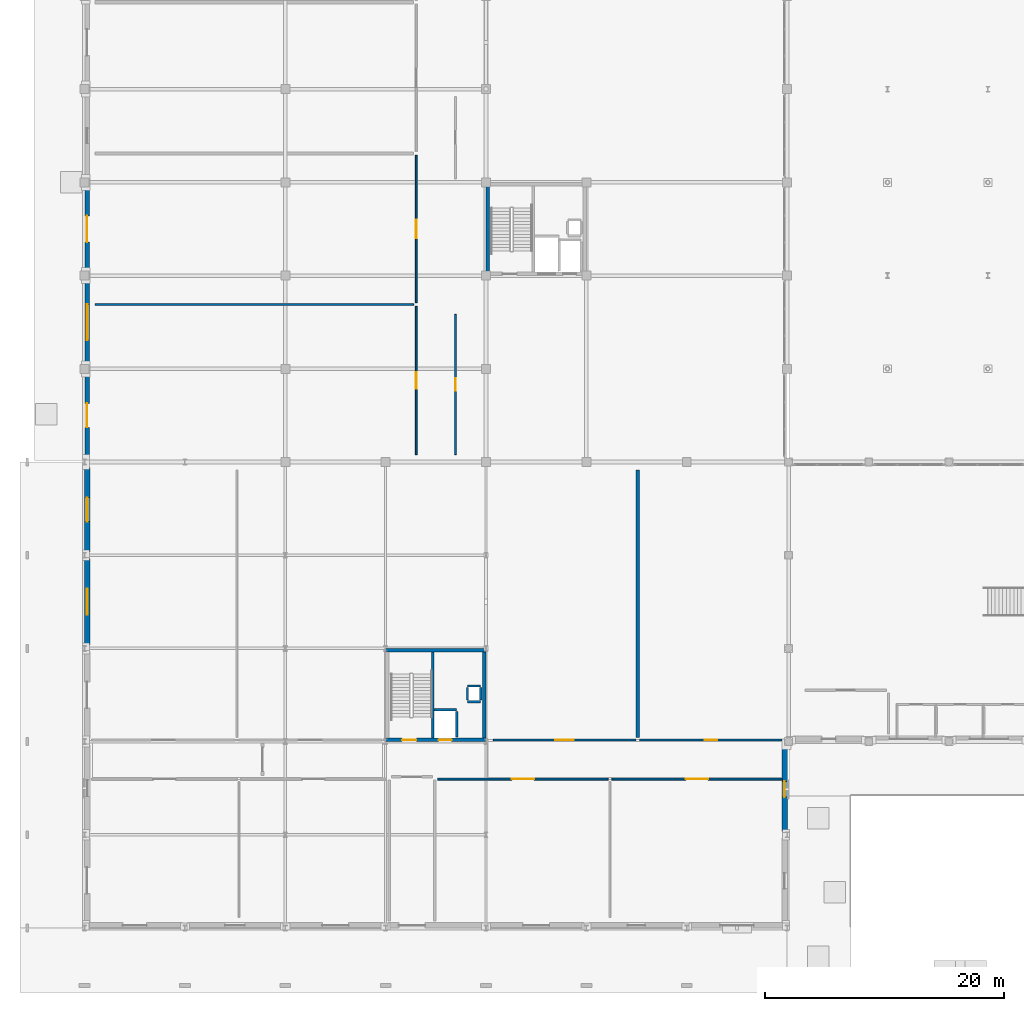
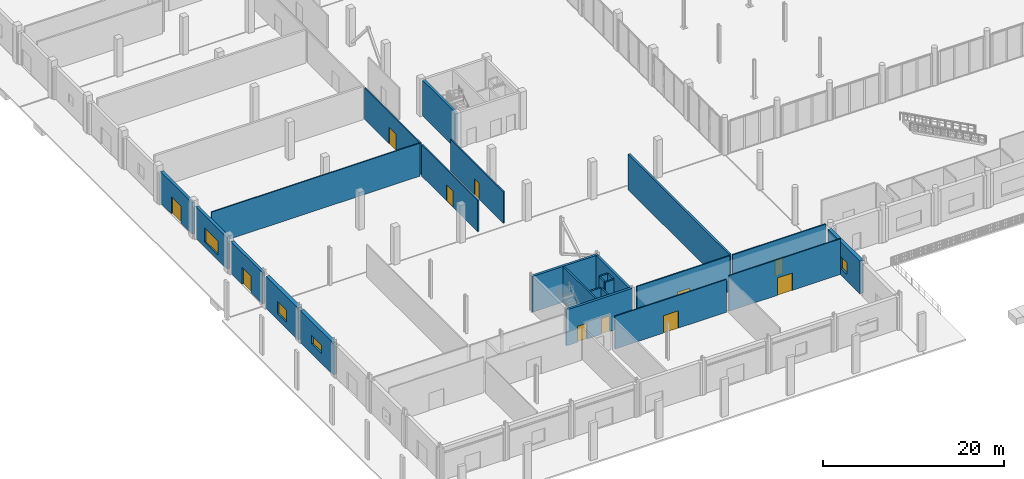
# One storey, part 47 of 80: 26 walls, 11 doors, 4 windows, 15 openings.
"""IFC4 building model written with IfcOpenShell, lengths in metres."""

from ifc_helpers import new_model, si_unit, direction, frame, frame_2d, origin, place, context, subcontext, project, spatial, rectangle, extrude, material, layer, layer_set, type_object, element, fill, save


model = new_model("IFC4")

# Units and contexts
model_context = context("Model", 3, precision=1e-05, world=origin(), true_north=direction((0.0, 1.0)))
body_context = subcontext(model_context, "Body", "Model", "MODEL_VIEW")
ifc_project = project(units=[si_unit("LENGTHUNIT", "METRE"), si_unit("AREAUNIT", "SQUARE_METRE"), si_unit("VOLUMEUNIT", "CUBIC_METRE"), si_unit("PLANEANGLEUNIT", "RADIAN"), si_unit("MASSUNIT", "GRAM", prefix="KILO")], contexts=[model_context])

# Site, building, storey
site_placement = place(None, origin())
site = spatial("IfcSite", under=ifc_project, at=site_placement, CompositionType="ELEMENT")
building_placement = place(site_placement, origin())
building = spatial("IfcBuilding", under=site, at=building_placement, Name="Nabrawat Pavilion Hospital", CompositionType="ELEMENT")
storey_placement = place(building_placement, origin())
storey = spatial("IfcBuildingStorey", under=building, at=storey_placement, Name="L00", CompositionType="ELEMENT", Elevation=0.0)

# Wall, opening, door
ifc_material_1 = material(Name="Gypsum Fireboard on Steel Stud", Category="steel")
ifc_layer_1 = layer(ifc_material_1, 0.14990234375, Name="Gypsum Fireboard on Steel Stud")
ifc_layer_set_1 = layer_set([ifc_layer_1], Name="Gypsum Fireboard on Steel Stud")
wall_type_1 = type_object("IfcWallType", Name="Clinical Corridor Smoke-Barrier Wall 150", PredefinedType="PARTITIONING", material=ifc_layer_set_1)
wall_1_placement = place(storey_placement, frame((29.56005859375, 12.4599609375, 0.0), z_axis=(0.0, 0.0, 1.0), x_axis=(1.0, 0.0, 0.0)))
wall_1 = element("IfcWall", 1, at=wall_1_placement, inside=storey, type_object=wall_type_1, Name="L00 Emergency Department Acute Treatment Cubicle L00-03 Front Partition", PredefinedType="PARTITIONING", context=body_context, shape_type="SweptSolid", body=[
    extrude(rectangle(XDim=14.25, YDim=0.14990234375, at=frame_2d((7.125, 0.0))), origin(), (0.0, 0.0, 1.0), 4.429931640625),
])
opening_1_placement = place(wall_1_placement, frame((6.175048828125, 0.0, 0.0)))
opening_1 = element("IfcOpeningElement", 2, at=opening_1_placement, cuts=wall_1, Name="Opening D-ED", PredefinedType="OPENING", context=body_context, shape_type="SweptSolid", body=[
    extrude(rectangle(XDim=1.89990234375, YDim=2.35009765625, at=frame_2d((0.949951171875, 1.175048828125))), frame((0.0, 0.0849609375, 0.0), z_axis=(0.0, -1.0, 0.0), x_axis=(1.0, 0.0, 0.0)), (0.0, 0.0, 1.0), 0.169921875),
])
ifc_material_2 = material(Name="Stainless-Clad Acoustic Timber and Vision Glass", Category="wood")
door_type_1 = type_object("IfcDoorType", Name="Emergency Trauma Bay Double Door 1900x2350", OperationType="NOTDEFINED", PredefinedType="DOOR", material=ifc_material_2)
door_1_placement = place(opening_1_placement, origin())
door_1 = element("IfcDoor", 3, at=door_1_placement, inside=storey, type_object=door_type_1, Name="Emergency Department Acute Treatment Cubicle L00-03 Door", OperationType="DOUBLE_DOOR_SINGLE_SWING", OverallHeight=2.35009765625, OverallWidth=1.89990234375, PredefinedType="DOOR", context=body_context, shape_type="SweptSolid", body=[
    extrude(rectangle(XDim=1.89990234375, YDim=2.35009765625, at=frame_2d((0.949951171875, 1.175048828125))), frame((0.0, 0.02490234375, 0.0), z_axis=(0.0, -1.0, 0.0), x_axis=(1.0, 0.0, 0.0)), (0.0, 0.0, 1.0), 0.050048828125),
])
fill(opening_1, door_1)

wall_2_placement = place(storey_placement, frame((44.1298828125, 12.4599609375, 0.0), z_axis=(0.0, 0.0, 1.0), x_axis=(1.0, 0.0, 0.0)))
wall_2 = element("IfcWall", 4, at=wall_2_placement, inside=storey, type_object=wall_type_1, Name="L00 Emergency Department Paediatric Observation Suite L00-04 Front Partition", PredefinedType="PARTITIONING", context=body_context, shape_type="SweptSolid", body=[
    extrude(rectangle(XDim=14.25, YDim=0.14990234375, at=frame_2d((7.125, 0.0))), origin(), (0.0, 0.0, 1.0), 4.820068359375),
])
opening_2_placement = place(wall_2_placement, frame((6.175048828125, 0.0, 0.0)))
opening_2 = element("IfcOpeningElement", 5, at=opening_2_placement, cuts=wall_2, Name="Opening D-ED", PredefinedType="OPENING", context=body_context, shape_type="SweptSolid", body=[
    extrude(rectangle(XDim=1.89990234375, YDim=2.35009765625, at=frame_2d((0.949951171875, 1.175048828125))), frame((0.0, 0.0849609375, 0.0), z_axis=(0.0, -1.0, 0.0), x_axis=(1.0, 0.0, 0.0)), (0.0, 0.0, 1.0), 0.169921875),
])
door_2_placement = place(opening_2_placement, origin())
door_2 = element("IfcDoor", 6, at=door_2_placement, inside=storey, type_object=door_type_1, Name="Emergency Department Paediatric Observation Suite L00-04 Door", OperationType="DOUBLE_DOOR_SINGLE_SWING", OverallHeight=2.35009765625, OverallWidth=1.89990234375, PredefinedType="DOOR", context=body_context, shape_type="SweptSolid", body=[
    extrude(rectangle(XDim=1.89990234375, YDim=2.35009765625, at=frame_2d((0.949951171875, 1.175048828125))), frame((0.0, 0.02490234375, 0.0), z_axis=(0.0, -1.0, 0.0), x_axis=(1.0, 0.0, 0.0)), (0.0, 0.0, 1.0), 0.050048828125),
])
fill(opening_2, door_2)

wall_3_placement = place(storey_placement, frame((34.219970703125, 15.739990234375, 0.0), z_axis=(0.0, 0.0, 1.0), x_axis=(1.0, 0.0, 0.0)))
wall_3 = element("IfcWall", 7, at=wall_3_placement, inside=storey, type_object=wall_type_1, Name="L00 Diagnostic Imaging Trauma CT Room L00-07 Front Partition", PredefinedType="PARTITIONING", context=body_context, shape_type="SweptSolid", body=[
    extrude(rectangle(XDim=11.919921875, YDim=0.14990234375, at=frame_2d((5.9599609375, 0.0))), origin(), (0.0, 0.0, 1.0), 4.820068359375),
])
opening_3_placement = place(wall_3_placement, frame((5.18505859375, 0.0, 0.0)))
opening_3 = element("IfcOpeningElement", 8, at=opening_3_placement, cuts=wall_3, Name="Opening D-IMG", PredefinedType="OPENING", context=body_context, shape_type="SweptSolid", body=[
    extrude(rectangle(XDim=1.550048828125, YDim=2.25, at=frame_2d((0.77490234375, 1.125))), frame((0.0, 0.0849609375, 0.0), z_axis=(0.0, -1.0, 0.0), x_axis=(1.0, 0.0, 0.0)), (0.0, 0.0, 1.0), 0.169921875),
])
door_type_2 = type_object("IfcDoorType", Name="Lead-Lined Radiology Shielded Door 1550x2250", OperationType="NOTDEFINED", PredefinedType="DOOR", material=ifc_material_2)
door_3_placement = place(opening_3_placement, origin())
door_3 = element("IfcDoor", 9, at=door_3_placement, inside=storey, type_object=door_type_2, Name="Diagnostic Imaging Trauma CT Room L00-07 Door", OperationType="SINGLE_SWING_RIGHT", OverallHeight=2.25, OverallWidth=1.550048828125, PredefinedType="DOOR", context=body_context, shape_type="SweptSolid", body=[
    extrude(rectangle(XDim=1.550048828125, YDim=2.25, at=frame_2d((0.77490234375, 1.125))), frame((0.0, 0.02490234375, 0.0), z_axis=(0.0, -1.0, 0.0), x_axis=(1.0, 0.0, 0.0)), (0.0, 0.0, 1.0), 0.050048828125),
])
fill(opening_3, door_3)

wall_4_placement = place(storey_placement, frame((46.4599609375, 15.739990234375, 0.0), z_axis=(0.0, 0.0, 1.0), x_axis=(1.0, 0.0, 0.0)))
wall_4 = element("IfcWall", 10, at=wall_4_placement, inside=storey, type_object=wall_type_1, Name="L00 Emergency Department Staff Duty Station L00-08 Front Partition", PredefinedType="PARTITIONING", context=body_context, shape_type="SweptSolid", body=[
    extrude(rectangle(XDim=11.919921875, YDim=0.14990234375, at=frame_2d((5.9599609375, 0.0))), origin(), (0.0, 0.0, 1.0), 4.820068359375),
])
opening_4_placement = place(wall_4_placement, frame((5.43505859375, 0.0, 0.0)))
opening_4 = element("IfcOpeningElement", 11, at=opening_4_placement, cuts=wall_4, Name="Opening D-OPC-R", PredefinedType="OPENING", context=body_context, shape_type="SweptSolid", body=[
    extrude(rectangle(XDim=1.050048828125, YDim=2.14990234375, at=frame_2d((0.52490234375, 1.074951171875))), frame((0.0, 0.0849609375, 0.0), z_axis=(0.0, -1.0, 0.0), x_axis=(1.0, 0.0, 0.0)), (0.0, 0.0, 1.0), 0.169921875),
])
door_type_3 = type_object("IfcDoorType", Name="Outpatient Clinic Consultation Door R 1050x2150", OperationType="NOTDEFINED", PredefinedType="DOOR", material=ifc_material_2)
door_4_placement = place(opening_4_placement, origin())
door_4 = element("IfcDoor", 12, at=door_4_placement, inside=storey, type_object=door_type_3, Name="Emergency Department Staff Duty Station L00-08 Door", OperationType="SINGLE_SWING_LEFT", OverallHeight=2.14990234375, OverallWidth=1.050048828125, PredefinedType="DOOR", context=body_context, shape_type="SweptSolid", body=[
    extrude(rectangle(XDim=1.050048828125, YDim=2.14990234375, at=frame_2d((0.52490234375, 1.074951171875))), frame((0.0, 0.02490234375, 0.0), z_axis=(0.0, -1.0, 0.0), x_axis=(1.0, 0.0, 0.0)), (0.0, 0.0, 1.0), 0.050048828125),
])
fill(opening_4, door_4)

wall_5_placement = place(storey_placement, frame((27.760009765625, 39.6201171875, 0.0), z_axis=(0.0, 0.0, 1.0), x_axis=(0.0, 1.0, 0.0)))
wall_5 = element("IfcWall", 13, at=wall_5_placement, inside=storey, type_object=wall_type_1, Name="L00 Emergency Short-Stay Observation Ward L00-01 Front Partition", PredefinedType="PARTITIONING", context=body_context, shape_type="SweptSolid", body=[
    extrude(rectangle(XDim=12.40478515625, YDim=0.14990234375, at=frame_2d((6.202392578125, 0.0))), origin(), (0.0, 0.0, 1.0), 4.260009765625),
])
opening_5_placement = place(wall_5_placement, frame((5.50244140625, 0.0, 0.0)))
opening_5 = element("IfcOpeningElement", 14, at=opening_5_placement, cuts=wall_5, Name="Opening D-BED", PredefinedType="OPENING", context=body_context, shape_type="SweptSolid", body=[
    extrude(rectangle(XDim=1.39990234375, YDim=2.199951171875, at=frame_2d((0.699951171875, 1.10009765625))), frame((0.0, 0.0849609375, 0.0), z_axis=(0.0, -1.0, 0.0), x_axis=(1.0, 0.0, 0.0)), (0.0, 0.0, 1.0), 0.169921875),
])
door_type_4 = type_object("IfcDoorType", Name="D-BED Inpatient Ward Leaf-and-a-Half Door 1400x2200", OperationType="NOTDEFINED", PredefinedType="DOOR", material=ifc_material_2)
door_5_placement = place(opening_5_placement, origin())
door_5 = element("IfcDoor", 15, at=door_5_placement, inside=storey, type_object=door_type_4, Name="Emergency Short-Stay Observation Ward L00-01 Door", OperationType="SINGLE_SWING_RIGHT", OverallHeight=2.199951171875, OverallWidth=1.39990234375, PredefinedType="DOOR", context=body_context, shape_type="SweptSolid", body=[
    extrude(rectangle(XDim=1.39990234375, YDim=2.199951171875, at=frame_2d((0.699951171875, 1.10009765625))), frame((0.0, 0.02490234375, 0.0), z_axis=(0.0, -1.0, 0.0), x_axis=(1.0, 0.0, 0.0)), (0.0, 0.0, 1.0), 0.050048828125),
])
fill(opening_5, door_5)

wall_6_placement = place(storey_placement, frame((27.760009765625, 52.344970703125, 0.0), z_axis=(0.0, 0.0, 1.0), x_axis=(0.0, 1.0, 0.0)))
wall_6 = element("IfcWall", 16, at=wall_6_placement, inside=storey, type_object=wall_type_1, Name="L00 Diagnostic Imaging Digital X-Ray Room L00-02 Front Partition", PredefinedType="PARTITIONING", context=body_context, shape_type="SweptSolid", body=[
    extrude(rectangle(XDim=12.324951171875, YDim=0.14990234375, at=frame_2d((6.16259765625, 0.0))), origin(), (0.0, 0.0, 1.0), 4.260009765625),
])
opening_6_placement = place(wall_6_placement, frame((5.387451171875, 0.0, 0.0)))
opening_6 = element("IfcOpeningElement", 17, at=opening_6_placement, cuts=wall_6, Name="Opening D-IMG", PredefinedType="OPENING", context=body_context, shape_type="SweptSolid", body=[
    extrude(rectangle(XDim=1.550048828125, YDim=2.25, at=frame_2d((0.77490234375, 1.125))), frame((0.0, 0.0849609375, 0.0), z_axis=(0.0, -1.0, 0.0), x_axis=(1.0, 0.0, 0.0)), (0.0, 0.0, 1.0), 0.169921875),
])
door_6_placement = place(opening_6_placement, origin())
door_6 = element("IfcDoor", 18, at=door_6_placement, inside=storey, type_object=door_type_2, Name="Diagnostic Imaging Digital X-Ray Room L00-02 Door", OperationType="SINGLE_SWING_LEFT", OverallHeight=2.25, OverallWidth=1.550048828125, PredefinedType="DOOR", context=body_context, shape_type="SweptSolid", body=[
    extrude(rectangle(XDim=1.550048828125, YDim=2.25, at=frame_2d((0.77490234375, 1.125))), frame((0.0, 0.02490234375, 0.0), z_axis=(0.0, -1.0, 0.0), x_axis=(1.0, 0.0, 0.0)), (0.0, 0.0, 1.0), 0.050048828125),
])
fill(opening_6, door_6)

wall_7_placement = place(storey_placement, frame((31.0400390625, 39.6201171875, 0.0), z_axis=(0.0, 0.0, 1.0), x_axis=(0.0, 1.0, 0.0)))
wall_7 = element("IfcWall", 19, at=wall_7_placement, inside=storey, type_object=wall_type_1, Name="L00 Endoscopy Patient Recovery Bay L00-06 Front Partition", PredefinedType="PARTITIONING", context=body_context, shape_type="SweptSolid", body=[
    extrude(rectangle(XDim=11.72998046875, YDim=0.14990234375, at=frame_2d((5.864990234375, 0.0))), origin(), (0.0, 0.0, 1.0), 4.260009765625),
])
opening_7_placement = place(wall_7_placement, frame((5.340087890625, 0.0, 0.0)))
opening_7 = element("IfcOpeningElement", 20, at=opening_7_placement, cuts=wall_7, Name="Opening D-OPC-R", PredefinedType="OPENING", context=body_context, shape_type="SweptSolid", body=[
    extrude(rectangle(XDim=1.050048828125, YDim=2.14990234375, at=frame_2d((0.52490234375, 1.074951171875))), frame((0.0, 0.0849609375, 0.0), z_axis=(0.0, -1.0, 0.0), x_axis=(1.0, 0.0, 0.0)), (0.0, 0.0, 1.0), 0.169921875),
])
door_7_placement = place(opening_7_placement, origin())
door_7 = element("IfcDoor", 21, at=door_7_placement, inside=storey, type_object=door_type_3, Name="Endoscopy Patient Recovery Bay L00-06 Door", OperationType="SINGLE_SWING_LEFT", OverallHeight=2.14990234375, OverallWidth=1.050048828125, PredefinedType="DOOR", context=body_context, shape_type="SweptSolid", body=[
    extrude(rectangle(XDim=1.050048828125, YDim=2.14990234375, at=frame_2d((0.52490234375, 1.074951171875))), frame((0.0, 0.02490234375, 0.0), z_axis=(0.0, -1.0, 0.0), x_axis=(1.0, 0.0, 0.0)), (0.0, 0.0, 1.0), 0.050048828125),
])
fill(opening_7, door_7)

# Wall
ifc_material_3 = material(Name="Barium Concrete Block", Category="concrete")
ifc_layer_2 = layer(ifc_material_3, 0.260009765625, Name="Barium Concrete Block")
ifc_layer_set_2 = layer_set([ifc_layer_2], Name="Barium Concrete Block")
wall_type_2 = type_object("IfcWallType", Name="Diagnostic X-Ray Barium-Plaster Wall 260", PredefinedType="PARTITIONING", material=ifc_layer_set_2)
wall_8_placement = place(storey_placement, frame((46.300048828125, 15.9599609375, 0.0), z_axis=(0.0, 0.0, 1.0), x_axis=(0.0, 1.0, 0.0)))
element("IfcWall", 22, at=wall_8_placement, inside=storey, type_object=wall_type_2, Name="L00 Diagnostic Imaging Trauma CT Room L00-07 Dividing Partition", PredefinedType="PARTITIONING", context=body_context, shape_type="SweptSolid", body=[
    extrude(rectangle(XDim=22.35009765625, YDim=0.260009765625, at=frame_2d((11.175048828125, 0.0))), origin(), (0.0, 0.0, 1.0), 4.820068359375),
])

# Wall, opening, window
ifc_material_4 = material(Name="Precast concrete C40/50", Category="concrete")
ifc_layer_3 = layer(ifc_material_4, 0.4599609375, Name="Precast concrete C40/50")
ifc_layer_set_3 = layer_set([ifc_layer_3], Name="Precast concrete C40/50")
wall_type_3 = type_object("IfcWallType", Name="Emergency Blast-Resistant Precast Wall 460", PredefinedType="SOLIDWALL", material=ifc_layer_set_3)
wall_9_placement = place(storey_placement, frame((0.219970703125, 23.669921875, 0.0), z_axis=(0.0, 0.0, 1.0), x_axis=(0.0, 1.0, 0.0)))
wall_9 = element("IfcWall", 23, at=wall_9_placement, inside=storey, type_object=wall_type_3, Name="L00 Emergency Blast-Resistant Precast Wall 460 088", PredefinedType="SOLIDWALL", context=body_context, shape_type="SweptSolid", body=[
    extrude(rectangle(XDim=7.260009765625, YDim=0.4599609375, at=frame_2d((3.6298828125, 0.0))), origin(), (0.0, 0.0, 1.0), 4.330078125),
])
opening_8_placement = place(wall_9_placement, frame((2.530029296875, 0.0, 1.35009765625)))
opening_8 = element("IfcOpeningElement", 24, at=opening_8_placement, cuts=wall_9, Name="Opening WN-11", PredefinedType="OPENING", context=body_context, shape_type="SweptSolid", body=[
    extrude(rectangle(XDim=2.199951171875, YDim=1.14990234375, at=frame_2d((1.10009765625, 0.574951171875))), frame((0.0, 0.239990234375, 0.0), z_axis=(0.0, -1.0, 0.0), x_axis=(1.0, 0.0, 0.0)), (0.0, 0.0, 1.0), 0.47998046875),
])
ifc_material_5 = material(Name="Thermally Broken Aluminium and Solar Glass", Category="aluminium")
window_type_1 = type_object("IfcWindowType", Name="Diagnostic Laboratory Clerestory 2200x1150", PartitioningType="SINGLE_PANEL", PredefinedType="WINDOW", material=ifc_material_5)
window_1_placement = place(opening_8_placement, origin())
window_1 = element("IfcWindow", 25, at=window_1_placement, inside=storey, type_object=window_type_1, Name="L00 Diagnostic Laboratory Clerestory 2200x1150 011", OverallHeight=1.14990234375, OverallWidth=2.199951171875, PartitioningType="SINGLE_PANEL", PredefinedType="WINDOW", context=body_context, shape_type="SweptSolid", body=[
    extrude(rectangle(XDim=2.199951171875, YDim=1.14990234375, at=frame_2d((1.10009765625, 0.574951171875))), frame((0.0, 0.030029296875, 0.0), z_axis=(0.0, -1.0, 0.0), x_axis=(1.0, 0.0, 0.0)), (0.0, 0.0, 1.0), 0.06005859375),
])
fill(opening_8, window_1)

wall_10_placement = place(storey_placement, frame((0.219970703125, 31.469970703125, 0.0), z_axis=(0.0, 0.0, 1.0), x_axis=(0.0, 1.0, 0.0)))
wall_10 = element("IfcWall", 26, at=wall_10_placement, inside=storey, type_object=wall_type_3, Name="L00 Emergency Blast-Resistant Precast Wall 460 089", PredefinedType="SOLIDWALL", context=body_context, shape_type="SweptSolid", body=[
    extrude(rectangle(XDim=7.090087890625, YDim=0.4599609375, at=frame_2d((3.544921875, 0.0))), origin(), (0.0, 0.0, 1.0), 4.330078125),
])
opening_9_placement = place(wall_10_placement, frame((2.544921875, 0.0, 0.85009765625)))
opening_9 = element("IfcOpeningElement", 27, at=opening_9_placement, cuts=wall_10, Name="Opening WN-12", PredefinedType="OPENING", context=body_context, shape_type="SweptSolid", body=[
    extrude(rectangle(XDim=2.0, YDim=1.64990234375, at=frame_2d((1.0, 0.824951171875))), frame((0.0, 0.239990234375, 0.0), z_axis=(0.0, -1.0, 0.0), x_axis=(1.0, 0.0, 0.0)), (0.0, 0.0, 1.0), 0.47998046875),
])
window_type_2 = type_object("IfcWindowType", Name="ICU Observation Daylight Window 2000x1650", PartitioningType="SINGLE_PANEL", PredefinedType="WINDOW", material=ifc_material_5)
window_2_placement = place(opening_9_placement, origin())
window_2 = element("IfcWindow", 28, at=window_2_placement, inside=storey, type_object=window_type_2, Name="L00 ICU Observation Daylight Window 2000x1650 012", OverallHeight=1.64990234375, OverallWidth=2.0, PartitioningType="SINGLE_PANEL", PredefinedType="WINDOW", context=body_context, shape_type="SweptSolid", body=[
    extrude(rectangle(XDim=2.0, YDim=1.64990234375, at=frame_2d((1.0, 0.824951171875))), frame((0.0, 0.030029296875, 0.0), z_axis=(0.0, -1.0, 0.0), x_axis=(1.0, 0.0, 0.0)), (0.0, 0.0, 1.0), 0.06005859375),
])
fill(opening_9, window_2)

wall_11_placement = place(storey_placement, frame((58.580078125, 8.070068359375, 0.0), z_axis=(0.0, 0.0, 1.0), x_axis=(0.0, 1.0, 0.0)))
wall_11 = element("IfcWall", 29, at=wall_11_placement, inside=storey, type_object=wall_type_3, Name="L00 Emergency Blast-Resistant Precast Wall 460 115", PredefinedType="SOLIDWALL", context=body_context, shape_type="SweptSolid", body=[
    extrude(rectangle(XDim=7.08984375, YDim=0.4599609375, at=frame_2d((3.544921875, 0.0))), origin(), (0.0, 0.0, 1.0), 4.43994140625),
])
opening_10_placement = place(wall_11_placement, frame((2.89501953125, 0.0, 0.89990234375)))
opening_10 = element("IfcOpeningElement", 30, at=opening_10_placement, cuts=wall_11, Name="Opening WN-30", PredefinedType="OPENING", context=body_context, shape_type="SweptSolid", body=[
    extrude(rectangle(XDim=1.300048828125, YDim=1.60009765625, at=frame_2d((0.64990234375, 0.800048828125))), frame((0.0, 0.239990234375, 0.0), z_axis=(0.0, -1.0, 0.0), x_axis=(1.0, 0.0, 0.0)), (0.0, 0.0, 1.0), 0.47998046875),
])
window_type_3 = type_object("IfcWindowType", Name="Genetics Clinic Window 1300x1600", PartitioningType="SINGLE_PANEL", PredefinedType="WINDOW", material=ifc_material_5)
window_3_placement = place(opening_10_placement, origin())
window_3 = element("IfcWindow", 31, at=window_3_placement, inside=storey, type_object=window_type_3, Name="L00 Genetics Clinic Window 1300x1600 030", OverallHeight=1.60009765625, OverallWidth=1.300048828125, PartitioningType="SINGLE_PANEL", PredefinedType="WINDOW", context=body_context, shape_type="SweptSolid", body=[
    extrude(rectangle(XDim=1.300048828125, YDim=1.60009765625, at=frame_2d((0.64990234375, 0.800048828125))), frame((0.0, 0.030029296875, 0.0), z_axis=(0.0, -1.0, 0.0), x_axis=(1.0, 0.0, 0.0)), (0.0, 0.0, 1.0), 0.06005859375),
])
fill(opening_10, window_3)

# Walls
ifc_material_6 = material(Name="Acoustic Gypsum on Steel Stud", Category="steel")
ifc_layer_4 = layer(ifc_material_6, 0.139892578125, Name="Acoustic Gypsum on Steel Stud")
ifc_layer_set_4 = layer_set([ifc_layer_4], Name="Acoustic Gypsum on Steel Stud")
wall_type_4 = type_object("IfcWallType", Name="Inpatient Ward Acoustic Partition 140", PredefinedType="PARTITIONING", material=ifc_layer_set_4)
wall_12_placement = place(storey_placement, frame((0.889892578125, 52.18505859375, 0.0), z_axis=(0.0, 0.0, 1.0), x_axis=(1.0, 0.0, 0.0)))
element("IfcWall", 32, at=wall_12_placement, inside=storey, type_object=wall_type_4, Name="L00 Emergency Short-Stay Observation Ward L00-01 Dividing Partition", PredefinedType="PARTITIONING", context=body_context, shape_type="SweptSolid", body=[
    extrude(rectangle(XDim=26.650146484375, YDim=0.139892578125, at=frame_2d((13.3251953125, 0.0))), origin(), (0.0, 0.0, 1.0), 4.4599609375),
])
ifc_material_7 = material(Name="Concrete C35/45", Category="concrete")
ifc_layer_5 = layer(ifc_material_7, 0.199951171875, Name="Concrete C35/45")
ifc_layer_set_5 = layer_set([ifc_layer_5], Name="Concrete C35/45")
wall_type_5 = type_object("IfcWallType", Name="Lift and Riser Fire Shaft Wall 200", PredefinedType="PARTITIONING", material=ifc_layer_set_5)
wall_13_placement = place(storey_placement, frame((29.14990234375, 15.919921875, 0.0), z_axis=(0.0, 0.0, 1.0), x_axis=(0.0, 1.0, 0.0)))
element("IfcWall", 33, at=wall_13_placement, inside=storey, type_object=wall_type_5, Name="L00 CORE-1 Stair-Lift Dividing Shear Wall", PredefinedType="SHEAR", context=body_context, shape_type="SweptSolid", body=[
    extrude(rectangle(XDim=7.16015625, YDim=0.199951171875, at=frame_2d((3.580078125, 0.0))), origin(), (0.0, 0.0, 1.0), 4.85009765625),
])
for number, where, z_axis, x_axis, name in (
    (34, (32.050048828125, 18.949951171875, 0.0), (0.0, 0.0, 1.0), (1.0, 0.0, 0.0), "L00 CORE-1 MEP Riser Shaft Wall S"),
    (35, (32.050048828125, 20.25, 0.0), (0.0, 0.0, 1.0), (1.0, 0.0, 0.0), "L00 CORE-1 MEP Riser Shaft Wall N"),
):
    element("IfcWall", number, at=place(storey_placement, frame(where, z_axis=z_axis, x_axis=x_axis)), inside=storey, type_object=wall_type_5, Name=name, PredefinedType="PARTITIONING", context=body_context, shape_type="SweptSolid", body=[
        extrude(rectangle(XDim=1.099853515625, YDim=0.199951171875, at=frame_2d((0.5498046875, 0.0))), origin(), (0.0, 0.0, 1.0), 4.22998046875),
    ])
for number, where, z_axis, x_axis, name in (
    (36, (32.050048828125, 19.070068359375, 0.0), (0.0, 0.0, 1.0), (0.0, 1.0, 0.0), "L00 CORE-1 MEP Riser Shaft Wall W"),
    (37, (33.14990234375, 19.070068359375, 0.0), (0.0, 0.0, 1.0), (0.0, 1.0, 0.0), "L00 CORE-1 MEP Riser Shaft Wall E"),
):
    element("IfcWall", number, at=place(storey_placement, frame(where, z_axis=z_axis, x_axis=x_axis)), inside=storey, type_object=wall_type_5, Name=name, PredefinedType="PARTITIONING", context=body_context, shape_type="SweptSolid", body=[
        extrude(rectangle(XDim=1.059814453125, YDim=0.199951171875, at=frame_2d((0.52978515625, 0.0))), origin(), (0.0, 0.0, 1.0), 4.22998046875),
    ])
wall_14_placement = place(storey_placement, frame((31.139892578125, 15.97998046875, 0.0), z_axis=(0.0, 0.0, 1.0), x_axis=(0.0, 1.0, 0.0)))
element("IfcWall", 38, at=wall_14_placement, inside=storey, type_object=wall_type_5, Name="L00 Lift LP-01 Shaft East Wall", PredefinedType="PARTITIONING", context=body_context, shape_type="SweptSolid", body=[
    extrude(rectangle(XDim=2.14013671875, YDim=0.199951171875, at=frame_2d((1.070068359375, 0.0))), origin(), (0.0, 0.0, 1.0), 4.22998046875),
])
wall_15_placement = place(storey_placement, frame((29.25, 18.280029296875, 0.0), z_axis=(0.0, 0.0, 1.0), x_axis=(1.0, 0.0, 0.0)))
element("IfcWall", 39, at=wall_15_placement, inside=storey, type_object=wall_type_5, Name="L00 Lift LP-01 Shaft Back Wall", PredefinedType="PARTITIONING", context=body_context, shape_type="SweptSolid", body=[
    extrude(rectangle(XDim=1.860107421875, YDim=0.199951171875, at=frame_2d((0.93017578125, 0.0))), origin(), (0.0, 0.0, 1.0), 4.22998046875),
])

# Wall, openings, doors
ifc_material_8 = material(Name="Concrete C40/50", Category="concrete")
ifc_layer_6 = layer(ifc_material_8, 0.300048828125, Name="Concrete C40/50")
ifc_layer_set_6 = layer_set([ifc_layer_6], Name="Concrete C40/50")
wall_type_6 = type_object("IfcWallType", Name="Reinforced Concrete Core Shear Wall 300", PredefinedType="SHEAR", material=ifc_layer_set_6)
wall_16_placement = place(storey_placement, frame((25.199951171875, 15.75, 0.0), z_axis=(0.0, 0.0, 1.0), x_axis=(1.0, 0.0, 0.0)))
wall_16 = element("IfcWall", 40, at=wall_16_placement, inside=storey, type_object=wall_type_6, Name="L00 CORE-1 South Core Shear Wall", PredefinedType="SHEAR", context=body_context, shape_type="SweptSolid", body=[
    extrude(rectangle(XDim=8.400146484375, YDim=0.300048828125, at=frame_2d((4.2001953125, 0.0))), origin(), (0.0, 0.0, 1.0), 4.85009765625),
])
opening_11_placement = place(wall_16_placement, frame((1.3798828125, 0.0, 0.0)))
opening_11 = element("IfcOpeningElement", 41, at=opening_11_placement, cuts=wall_16, Name="Opening D-STAIR", PredefinedType="OPENING", context=body_context, shape_type="SweptSolid", body=[
    extrude(rectangle(XDim=1.199951171875, YDim=2.14990234375, at=frame_2d((0.60009765625, 1.074951171875))), frame((0.0, 0.16015625, 0.0), z_axis=(0.0, -1.0, 0.0), x_axis=(1.0, 0.0, 0.0)), (0.0, 0.0, 1.0), 0.320068359375),
])
opening_12_placement = place(wall_16_placement, frame((4.429931640625, 0.0, 0.0)))
opening_12 = element("IfcOpeningElement", 42, at=opening_12_placement, cuts=wall_16, Name="Opening LD-LP-01", PredefinedType="OPENING", context=body_context, shape_type="SweptSolid", body=[
    extrude(rectangle(XDim=1.10009765625, YDim=2.14990234375, at=frame_2d((0.550048828125, 1.074951171875))), frame((0.0, 0.16015625, 0.0), z_axis=(0.0, -1.0, 0.0), x_axis=(1.0, 0.0, 0.0)), (0.0, 0.0, 1.0), 0.320068359375),
])
door_type_5 = type_object("IfcDoorType", Name="D-STAIR Exit Stair Fire Door 1200x2150", OperationType="NOTDEFINED", PredefinedType="DOOR", material=ifc_material_2)
door_8_placement = place(opening_11_placement, origin())
door_8 = element("IfcDoor", 43, at=door_8_placement, inside=storey, type_object=door_type_5, Name="L00 ST-01 Fire Exit Stair Door", OperationType="SINGLE_SWING_LEFT", OverallHeight=2.14990234375, OverallWidth=1.199951171875, PredefinedType="DOOR", context=body_context, shape_type="SweptSolid", body=[
    extrude(rectangle(XDim=1.199951171875, YDim=2.14990234375, at=frame_2d((0.60009765625, 1.074951171875))), frame((0.0, 0.02490234375, 0.0), z_axis=(0.0, -1.0, 0.0), x_axis=(1.0, 0.0, 0.0)), (0.0, 0.0, 1.0), 0.050048828125),
])
fill(opening_11, door_8)
door_type_6 = type_object("IfcDoorType", Name="Passenger Lift Sliding Landing Door 1100x2150", OperationType="DOUBLE_DOOR_SLIDING", PredefinedType="DOOR", material=ifc_material_2)
door_9_placement = place(opening_12_placement, origin())
door_9 = element("IfcDoor", 44, at=door_9_placement, inside=storey, type_object=door_type_6, Name="L00 Lift LP-01 Sliding Landing Door", OperationType="DOUBLE_DOOR_SLIDING", OverallHeight=2.14990234375, OverallWidth=1.10009765625, PredefinedType="DOOR", context=body_context, shape_type="SweptSolid", body=[
    extrude(rectangle(XDim=1.10009765625, YDim=2.14990234375, at=frame_2d((0.550048828125, 1.074951171875))), frame((0.0, 0.02490234375, 0.0), z_axis=(0.0, -1.0, 0.0), x_axis=(1.0, 0.0, 0.0)), (0.0, 0.0, 1.0), 0.050048828125),
])
fill(opening_12, door_9)

# Walls
wall_17_placement = place(storey_placement, frame((25.199951171875, 23.25, 0.0), z_axis=(0.0, 0.0, 1.0), x_axis=(1.0, 0.0, 0.0)))
element("IfcWall", 45, at=wall_17_placement, inside=storey, type_object=wall_type_6, Name="L00 CORE-1 North Core Shear Wall", PredefinedType="SHEAR", context=body_context, shape_type="SweptSolid", body=[
    extrude(rectangle(XDim=8.400146484375, YDim=0.300048828125, at=frame_2d((4.2001953125, 0.0))), origin(), (0.0, 0.0, 1.0), 4.85009765625),
])
wall_18_placement = place(storey_placement, frame((33.449951171875, 15.89990234375, 0.0), z_axis=(0.0, 0.0, 1.0), x_axis=(0.0, 1.0, 0.0)))
element("IfcWall", 46, at=wall_18_placement, inside=storey, type_object=wall_type_6, Name="L00 CORE-1 East Core Shear Wall", PredefinedType="SHEAR", context=body_context, shape_type="SweptSolid", body=[
    extrude(rectangle(XDim=7.2001953125, YDim=0.300048828125, at=frame_2d((3.60009765625, 0.0))), origin(), (0.0, 0.0, 1.0), 4.85009765625),
])
wall_19_placement = place(storey_placement, frame((33.75, 54.89990234375, 0.0), z_axis=(0.0, 0.0, 1.0), x_axis=(0.0, 1.0, 0.0)))
element("IfcWall", 47, at=wall_19_placement, inside=storey, type_object=wall_type_6, Name="L00 CORE-2 West Core Shear Wall", PredefinedType="SHEAR", context=body_context, shape_type="SweptSolid", body=[
    extrude(rectangle(XDim=7.2001953125, YDim=0.300048828125, at=frame_2d((3.60009765625, 0.0))), origin(), (0.0, 0.0, 1.0), 4.830078125),
])

# Wall, opening, door
ifc_layer_7 = layer(ifc_material_4, 0.360107421875, Name="Precast concrete C40/50")
ifc_layer_set_7 = layer_set([ifc_layer_7], Name="Precast concrete C40/50")
wall_type_7 = type_object("IfcWallType", Name="Surgical Acoustic Precast Facade Wall 360", PredefinedType="SOLIDWALL", material=ifc_layer_set_7)
wall_20_placement = place(storey_placement, frame((0.219970703125, 39.43994140625, 0.0), z_axis=(0.0, 0.0, 1.0), x_axis=(0.0, 1.0, 0.0)))
wall_20 = element("IfcWall", 48, at=wall_20_placement, inside=storey, type_object=wall_type_7, Name="L00 Surgical Acoustic Precast Facade Wall 360 097", PredefinedType="SOLIDWALL", context=body_context, shape_type="SweptSolid", body=[
    extrude(rectangle(XDim=6.93505859375, YDim=0.360107421875, at=frame_2d((3.467529296875, 0.0))), origin(), (0.0, 0.0, 1.0), 4.260009765625),
])
opening_13_placement = place(wall_20_placement, frame((2.467529296875, 0.0, 0.0)))
opening_13 = element("IfcOpeningElement", 49, at=opening_13_placement, cuts=wall_20, Name="Opening ED-EXIT-200", PredefinedType="OPENING", context=body_context, shape_type="SweptSolid", body=[
    extrude(rectangle(XDim=2.0, YDim=2.25, at=frame_2d((1.0, 1.125))), frame((0.0, 0.18994140625, 0.0), z_axis=(0.0, -1.0, 0.0), x_axis=(1.0, 0.0, 0.0)), (0.0, 0.0, 1.0), 0.380126953125),
])
ifc_material_9 = material(Name="Powder-Coated Galvanised Steel and Safety Glass", Category="steel")
door_type_7 = type_object("IfcDoorType", Name="Secondary Final-Exit Double Door 2000x2250", OperationType="NOTDEFINED", PredefinedType="DOOR", material=ifc_material_9)
door_10_placement = place(opening_13_placement, origin())
door_10 = element("IfcDoor", 50, at=door_10_placement, inside=storey, type_object=door_type_7, Name="L00 Perimeter Final Exit Door 08", OperationType="DOUBLE_DOOR_SINGLE_SWING", OverallHeight=2.25, OverallWidth=2.0, PredefinedType="DOOR", context=body_context, shape_type="SweptSolid", body=[
    extrude(rectangle(XDim=2.0, YDim=2.25, at=frame_2d((1.0, 1.125))), frame((0.0, 0.02490234375, 0.0), z_axis=(0.0, -1.0, 0.0), x_axis=(1.0, 0.0, 0.0)), (0.0, 0.0, 1.0), 0.050048828125),
])
fill(opening_13, door_10)

# Wall, opening, window
wall_21_placement = place(storey_placement, frame((0.219970703125, 47.22509765625, 0.0), z_axis=(0.0, 0.0, 1.0), x_axis=(0.0, 1.0, 0.0)))
wall_21 = element("IfcWall", 51, at=wall_21_placement, inside=storey, type_object=wall_type_7, Name="L00 Surgical Acoustic Precast Facade Wall 360 098", PredefinedType="SOLIDWALL", context=body_context, shape_type="SweptSolid", body=[
    extrude(rectangle(XDim=6.949951171875, YDim=0.360107421875, at=frame_2d((3.47509765625, 0.0))), origin(), (0.0, 0.0, 1.0), 4.260009765625),
])
opening_14_placement = place(wall_21_placement, frame((1.97509765625, 0.0, 0.699951171875)))
opening_14 = element("IfcOpeningElement", 52, at=opening_14_placement, cuts=wall_21, Name="Opening WN-16", PredefinedType="OPENING", context=body_context, shape_type="SweptSolid", body=[
    extrude(rectangle(XDim=3.0, YDim=1.85009765625, at=frame_2d((1.5, 0.925048828125))), frame((0.0, 0.18994140625, 0.0), z_axis=(0.0, -1.0, 0.0), x_axis=(1.0, 0.0, 0.0)), (0.0, 0.0, 1.0), 0.380126953125),
])
window_type_4 = type_object("IfcWindowType", Name="VIP Suite Panoramic Window 3000x1850", PartitioningType="SINGLE_PANEL", PredefinedType="WINDOW", material=ifc_material_5)
window_4_placement = place(opening_14_placement, origin())
window_4 = element("IfcWindow", 53, at=window_4_placement, inside=storey, type_object=window_type_4, Name="L00 VIP Suite Panoramic Window 3000x1850 016", OverallHeight=1.85009765625, OverallWidth=3.0, PartitioningType="SINGLE_PANEL", PredefinedType="WINDOW", context=body_context, shape_type="SweptSolid", body=[
    extrude(rectangle(XDim=3.0, YDim=1.85009765625, at=frame_2d((1.5, 0.925048828125))), frame((0.0, 0.030029296875, 0.0), z_axis=(0.0, -1.0, 0.0), x_axis=(1.0, 0.0, 0.0)), (0.0, 0.0, 1.0), 0.06005859375),
])
fill(opening_14, window_4)

# Wall, opening, door
wall_22_placement = place(storey_placement, frame((0.219970703125, 55.02490234375, 0.0), z_axis=(0.0, 0.0, 1.0), x_axis=(0.0, 1.0, 0.0)))
wall_22 = element("IfcWall", 54, at=wall_22_placement, inside=storey, type_object=wall_type_7, Name="L00 Surgical Acoustic Precast Facade Wall 360 099", PredefinedType="SOLIDWALL", context=body_context, shape_type="SweptSolid", body=[
    extrude(rectangle(XDim=6.9501953125, YDim=0.360107421875, at=frame_2d((3.47509765625, 0.0))), origin(), (0.0, 0.0, 1.0), 4.260009765625),
])
opening_15_placement = place(wall_22_placement, frame((2.375, 0.0, 0.0)))
opening_15 = element("IfcOpeningElement", 55, at=opening_15_placement, cuts=wall_22, Name="Opening ED-EXIT-220", PredefinedType="OPENING", context=body_context, shape_type="SweptSolid", body=[
    extrude(rectangle(XDim=2.199951171875, YDim=2.300048828125, at=frame_2d((1.10009765625, 1.14990234375))), frame((0.0, 0.18994140625, 0.0), z_axis=(0.0, -1.0, 0.0), x_axis=(1.0, 0.0, 0.0)), (0.0, 0.0, 1.0), 0.380126953125),
])
door_type_8 = type_object("IfcDoorType", Name="Perimeter Double Final-Exit Door 2200x2300", OperationType="NOTDEFINED", PredefinedType="DOOR", material=ifc_material_9)
door_11_placement = place(opening_15_placement, origin())
door_11 = element("IfcDoor", 56, at=door_11_placement, inside=storey, type_object=door_type_8, Name="L00 Perimeter Final Exit Door 09", OperationType="DOUBLE_DOOR_SINGLE_SWING", OverallHeight=2.300048828125, OverallWidth=2.199951171875, PredefinedType="DOOR", context=body_context, shape_type="SweptSolid", body=[
    extrude(rectangle(XDim=2.199951171875, YDim=2.300048828125, at=frame_2d((1.10009765625, 1.14990234375))), frame((0.0, 0.02490234375, 0.0), z_axis=(0.0, -1.0, 0.0), x_axis=(1.0, 0.0, 0.0)), (0.0, 0.0, 1.0), 0.050048828125),
])
fill(opening_15, door_11)

save(model, "model.ifc")
